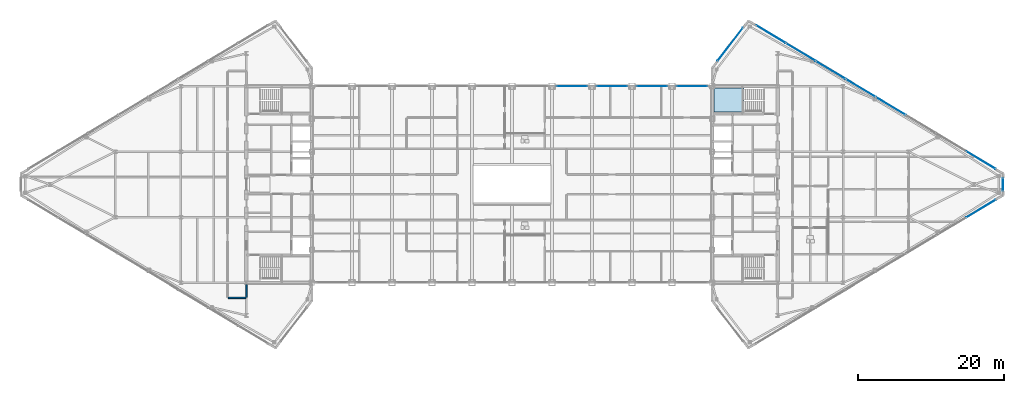
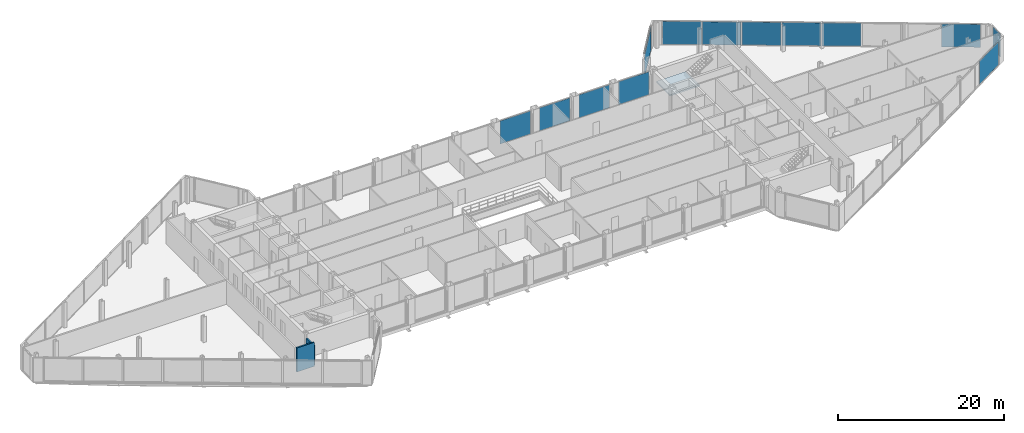
# One storey, part 20 of 29: 13 plates, 2 walls, 1 slab, 9 elements without a shape of their own.
"""IFC4 building model written with IfcOpenShell, lengths in metres."""

from ifc_helpers import new_model, si_unit, direction, frame, frame_2d, origin, origin_2d, place, context, subcontext, project, spatial, polyline, rectangle, outline, extrude, source, transform, mapped, material, layer, layer_set, type_object, type_shapes, element, aggregate, save


model = new_model("IFC4")

# Units and contexts
model_context = context("Model", 3, precision=1e-05, world=origin(), true_north=direction((0.0, 1.0)))
body_context = subcontext(model_context, "Body", "Model", "MODEL_VIEW")
ifc_project = project(units=[si_unit("LENGTHUNIT", "METRE"), si_unit("AREAUNIT", "SQUARE_METRE"), si_unit("VOLUMEUNIT", "CUBIC_METRE"), si_unit("PLANEANGLEUNIT", "RADIAN"), si_unit("MASSUNIT", "GRAM", prefix="KILO")], contexts=[model_context])

# Site, building, storey
site_placement = place(None, origin())
site = spatial("IfcSite", under=ifc_project, at=site_placement, CompositionType="ELEMENT")
building_placement = place(site_placement, origin())
building = spatial("IfcBuilding", under=site, at=building_placement, Name="Seokmaru Belvedere", CompositionType="ELEMENT")
storey_placement = place(building_placement, frame((0.0, 0.0, 258.14990234375)))
storey = spatial("IfcBuildingStorey", under=building, at=storey_placement, Name="L68", CompositionType="ELEMENT", Elevation=258.14990234375)

# Stair, slab
ifc_material_1 = material(Name="Concrete C40 (40 MPa)", Category="concrete")
stair_type = type_object("IfcStairType", Name="Sky-Gate Residential Core Dog-Leg Stair 3750", PredefinedType="TWO_STRAIGHT_RUN_STAIR", material=ifc_material_1)
stair_placement = place(storey_placement, origin())
stair = element("IfcStair", 1, at=stair_placement, inside=storey, type_object=stair_type, Name="L68 Special Escape Stair ST-E2", PredefinedType="TWO_STRAIGHT_RUN_STAIR")
ifc_layer_1 = layer(ifc_material_1, 0.199951171875)
ifc_layer_set_1 = layer_set([ifc_layer_1], Name="Concrete C40 (40 MPa)")
slab_type = type_object("IfcSlabType", Name="Reinforced Concrete Stair Landing Slab 200", PredefinedType="LANDING", material=ifc_layer_set_1)
slab_placement = place(storey_placement, frame((0.0, 0.0, 1.675048828125)))
slab = element("IfcSlab", 2, at=slab_placement, type_object=slab_type, Name="ST-E2 landing 1", PredefinedType="LANDING", context=body_context, shape_type="SweptSolid", body=[
    extrude(outline(polyline([(27.760009765625, 9.949951171875), (31.8798828125, 9.949951171875), (31.8798828125, 13.239990234375), (27.760009765625, 13.239990234375), (27.760009765625, 9.949951171875)])), origin(), (0.0, 0.0, 1.0), 0.199951171875),
])
aggregate(stair, [slab])

# Curtain wall, plate
ifc_material_2 = material(Name="Bronze Triple Insulating Glass", Category="glass")
ifc_layer_2 = layer(ifc_material_2, 0.219970703125)
ifc_layer_set_2 = layer_set([ifc_layer_2], Name="Bronze Triple Insulating Glass")
curtain_wall_type = type_object("IfcCurtainWallType", Name="Sky-Gate Bridge Panorama Curtain Wall System CW-6", PredefinedType="NOTDEFINED", material=ifc_layer_set_2)
curtain_wall_1_placement = place(storey_placement, origin())
curtain_wall_1 = element("IfcCurtainWall", 3, at=curtain_wall_1_placement, inside=storey, type_object=curtain_wall_type, Name="L68 Curtain Wall EF4", PredefinedType="NOTDEFINED")
ifc_layer_3 = layer(ifc_material_2, 0.0419921875)
ifc_layer_set_3 = layer_set([ifc_layer_3], Name="Bronze Triple Insulating Glass")
plate_type = type_object("IfcPlateType", Name="Acoustic Laminated Panorama Glazing Panel 42", PredefinedType="CURTAIN_PANEL", material=ifc_layer_set_3)
shared_shape_1 = source(origin(), body_context, "Body", "SweptSolid", [
    extrude(rectangle(XDim=5.740478515625, YDim=0.0419921875, at=origin_2d()), origin(), (0.0, 0.0, 1.0), 3.3798828125),
])
plate_1_placement = place(storey_placement, frame((30.0, 19.25, 0.0751953125), z_axis=(0.0, 0.0, 1.0), x_axis=(-0.609701187349, -0.792631353244, 0.0)))
plate_1 = element("IfcPlate", 4, at=plate_1_placement, type_object=plate_type, Name="CW:L68:EF4 Glazing Panel 1-1", PredefinedType="CURTAIN_PANEL", context=body_context, shape_type="MappedRepresentation", body=[
    mapped(shared_shape_1, transform((0.0, 0.0, 0.0), scale=1.0)),
])
aggregate(curtain_wall_1, [plate_1])

curtain_wall_2_placement = place(storey_placement, origin())
curtain_wall_2 = element("IfcCurtainWall", 5, at=curtain_wall_2_placement, inside=storey, type_object=curtain_wall_type, Name="L68 Curtain Wall EF1", PredefinedType="NOTDEFINED")
shared_shape_2 = source(origin(), body_context, "Body", "SweptSolid", [
    extrude(rectangle(XDim=4.694580078125, YDim=0.0419921875, at=origin_2d()), origin(), (0.0, 0.0, 1.0), 3.3798828125),
])
plate_2_placement = place(storey_placement, frame((64.4326171875, -3.340576171875, 0.0751953125), z_axis=(0.0, 0.0, 1.0), x_axis=(0.85749343335, 0.514494909364, 0.0)))
plate_2 = element("IfcPlate", 6, at=plate_2_placement, type_object=plate_type, Name="CW:L68:EF1 Glazing Panel 8-1", PredefinedType="CURTAIN_PANEL", context=body_context, shape_type="MappedRepresentation", body=[
    mapped(shared_shape_2, transform((0.0, 0.0, 0.0), scale=1.0)),
])
aggregate(curtain_wall_2, [plate_2])

# Curtain wall, plates
curtain_wall_3_placement = place(storey_placement, origin())
curtain_wall_3 = element("IfcCurtainWall", 7, at=curtain_wall_3_placement, inside=storey, type_object=curtain_wall_type, Name="L68 Curtain Wall EF3", PredefinedType="NOTDEFINED")
plate_3_placement = place(storey_placement, frame((64.4326171875, 3.340576171875, 0.0751953125), z_axis=(0.0, 0.0, 1.0), x_axis=(-0.85749343335, 0.514494909364, 0.0)))
plate_3 = element("IfcPlate", 8, at=plate_3_placement, type_object=plate_type, Name="CW:L68:EF3 Glazing Panel 1-1", PredefinedType="CURTAIN_PANEL", context=body_context, shape_type="MappedRepresentation", body=[
    mapped(shared_shape_2, transform((0.0, 0.0, 0.0), scale=1.0)),
])
plate_4_placement = place(storey_placement, frame((35.5673828125, 20.659423828125, 0.0751953125), z_axis=(0.0, 0.0, 1.0), x_axis=(-0.85749343335, 0.514494909364, 0.0)))
plate_4 = element("IfcPlate", 9, at=plate_4_placement, type_object=plate_type, Name="CW:L68:EF3 Glazing Panel 8-1", PredefinedType="CURTAIN_PANEL", context=body_context, shape_type="MappedRepresentation", body=[
    mapped(shared_shape_2, transform((0.0, 0.0, 0.0), scale=1.0)),
])
shared_shape_3 = source(origin(), body_context, "Body", "SweptSolid", [
    extrude(rectangle(XDim=4.734619140625, YDim=0.0419921875, at=origin_2d()), origin(), (0.0, 0.0, 1.0), 3.3798828125),
])
plate_5_placement = place(storey_placement, frame((52.064208984375, 10.761474609375, 0.0751953125), z_axis=(0.0, 0.0, 1.0), x_axis=(-0.85749343335, 0.514494909364, 0.0)))
plate_5 = element("IfcPlate", 10, at=plate_5_placement, type_object=plate_type, Name="CW:L68:EF3 Glazing Panel 4-1", PredefinedType="CURTAIN_PANEL", context=body_context, shape_type="MappedRepresentation", body=[
    mapped(shared_shape_3, transform((0.0, 0.0, 0.0), scale=1.0)),
])
plate_6_placement = place(storey_placement, frame((47.935791015625, 13.238525390625, 0.0751953125), z_axis=(0.0, 0.0, 1.0), x_axis=(-0.85749343335, 0.514494909364, 0.0)))
plate_6 = element("IfcPlate", 11, at=plate_6_placement, type_object=plate_type, Name="CW:L68:EF3 Glazing Panel 5-1", PredefinedType="CURTAIN_PANEL", context=body_context, shape_type="MappedRepresentation", body=[
    mapped(shared_shape_3, transform((0.0, 0.0, 0.0), scale=1.0)),
])
plate_7_placement = place(storey_placement, frame((43.807373046875, 15.715576171875, 0.0751953125), z_axis=(0.0, 0.0, 1.0), x_axis=(-0.85749343335, 0.514494909364, 0.0)))
plate_7 = element("IfcPlate", 12, at=plate_7_placement, type_object=plate_type, Name="CW:L68:EF3 Glazing Panel 6-1", PredefinedType="CURTAIN_PANEL", context=body_context, shape_type="MappedRepresentation", body=[
    mapped(shared_shape_3, transform((0.0, 0.0, 0.0), scale=1.0)),
])
plate_8_placement = place(storey_placement, frame((39.6787109375, 18.192626953125, 0.0751953125), z_axis=(0.0, 0.0, 1.0), x_axis=(-0.85749343335, 0.514494909364, 0.0)))
plate_8 = element("IfcPlate", 13, at=plate_8_placement, type_object=plate_type, Name="CW:L68:EF3 Glazing Panel 7-1", PredefinedType="CURTAIN_PANEL", context=body_context, shape_type="MappedRepresentation", body=[
    mapped(shared_shape_3, transform((0.0, 0.0, 0.0), scale=1.0)),
])
aggregate(curtain_wall_3, [plate_3, plate_5, plate_6, plate_7, plate_8, plate_4])

# Curtain wall, plate
curtain_wall_4_placement = place(storey_placement, origin())
curtain_wall_4 = element("IfcCurtainWall", 14, at=curtain_wall_4_placement, inside=storey, type_object=curtain_wall_type, Name="L68 Curtain Wall EF2", PredefinedType="NOTDEFINED")
shared_shape_4 = source(origin(), body_context, "Body", "SweptSolid", [
    extrude(rectangle(XDim=1.739990234375, YDim=0.0419921875, at=origin_2d()), origin(), (0.0, 0.0, 1.0), 3.3798828125),
])
plate_9_placement = place(storey_placement, frame((67.5, 0.0, 0.0751953125), z_axis=(0.0, 0.0, 1.0), x_axis=(0.0, 1.0, 0.0)))
plate_9 = element("IfcPlate", 15, at=plate_9_placement, type_object=plate_type, Name="CW:L68:EF2 Glazing Panel 1-1", PredefinedType="CURTAIN_PANEL", context=body_context, shape_type="MappedRepresentation", body=[
    mapped(shared_shape_4, transform((0.0, 0.0, 0.0), scale=1.0)),
])
aggregate(curtain_wall_4, [plate_9])

curtain_wall_5_placement = place(storey_placement, origin())
curtain_wall_5 = element("IfcCurtainWall", 16, at=curtain_wall_5_placement, inside=storey, type_object=curtain_wall_type, Name="L68 Curtain Wall BR_N07", PredefinedType="NOTDEFINED")
shared_shape_5 = source(origin(), body_context, "Body", "SweptSolid", [
    extrude(rectangle(XDim=4.239990234375, YDim=0.0419921875, at=origin_2d()), origin(), (0.0, 0.0, 1.0), 3.3798828125),
])
type_shapes(plate_type, [shared_shape_1, shared_shape_2, shared_shape_3, shared_shape_4, shared_shape_5])
plate_10_placement = place(storey_placement, frame((8.25, 13.5, 0.0751953125), z_axis=(0.0, 0.0, 1.0), x_axis=(-1.0, 0.0, 0.0)))
plate_10 = element("IfcPlate", 17, at=plate_10_placement, type_object=plate_type, Name="CW:L68:BR_N07 Glazing Panel 1-1", PredefinedType="CURTAIN_PANEL", context=body_context, shape_type="MappedRepresentation", body=[
    mapped(shared_shape_5, transform((0.0, 0.0, 0.0), scale=1.0)),
])
aggregate(curtain_wall_5, [plate_10])

curtain_wall_6_placement = place(storey_placement, origin())
curtain_wall_6 = element("IfcCurtainWall", 18, at=curtain_wall_6_placement, inside=storey, type_object=curtain_wall_type, Name="L68 Curtain Wall BR_N08", PredefinedType="NOTDEFINED")
plate_11_placement = place(storey_placement, frame((13.75, 13.5, 0.0751953125), z_axis=(0.0, 0.0, 1.0), x_axis=(-1.0, 0.0, 0.0)))
plate_11 = element("IfcPlate", 19, at=plate_11_placement, type_object=plate_type, Name="CW:L68:BR_N08 Glazing Panel 1-1", PredefinedType="CURTAIN_PANEL", context=body_context, shape_type="MappedRepresentation", body=[
    mapped(shared_shape_5, transform((0.0, 0.0, 0.0), scale=1.0)),
])
aggregate(curtain_wall_6, [plate_11])

curtain_wall_7_placement = place(storey_placement, origin())
curtain_wall_7 = element("IfcCurtainWall", 20, at=curtain_wall_7_placement, inside=storey, type_object=curtain_wall_type, Name="L68 Curtain Wall BR_N09", PredefinedType="NOTDEFINED")
plate_12_placement = place(storey_placement, frame((19.25, 13.5, 0.0751953125), z_axis=(0.0, 0.0, 1.0), x_axis=(-1.0, 0.0, 0.0)))
plate_12 = element("IfcPlate", 21, at=plate_12_placement, type_object=plate_type, Name="CW:L68:BR_N09 Glazing Panel 1-1", PredefinedType="CURTAIN_PANEL", context=body_context, shape_type="MappedRepresentation", body=[
    mapped(shared_shape_5, transform((0.0, 0.0, 0.0), scale=1.0)),
])
aggregate(curtain_wall_7, [plate_12])

curtain_wall_8_placement = place(storey_placement, origin())
curtain_wall_8 = element("IfcCurtainWall", 22, at=curtain_wall_8_placement, inside=storey, type_object=curtain_wall_type, Name="L68 Curtain Wall BR_N10", PredefinedType="NOTDEFINED")
plate_13_placement = place(storey_placement, frame((24.75, 13.5, 0.0751953125), z_axis=(0.0, 0.0, 1.0), x_axis=(-1.0, 0.0, 0.0)))
plate_13 = element("IfcPlate", 23, at=plate_13_placement, type_object=plate_type, Name="CW:L68:BR_N10 Glazing Panel 1-1", PredefinedType="CURTAIN_PANEL", context=body_context, shape_type="MappedRepresentation", body=[
    mapped(shared_shape_5, transform((0.0, 0.0, 0.0), scale=1.0)),
])
aggregate(curtain_wall_8, [plate_13])

# Walls
ifc_material_3 = material(Name="Fire-Rated Gypsum Shaftwall")
ifc_layer_4 = layer(ifc_material_3, 0.199951171875)
ifc_layer_set_4 = layer_set([ifc_layer_4], Name="Fire-Rated Gypsum Shaftwall")
wall_type = type_object("IfcWallType", Name="Inter-Tenancy Fire Compartment Partition 200", PredefinedType="PARTITIONING", material=ifc_layer_set_4)
wall_1_placement = place(storey_placement, frame((-39.014892578125, -15.60009765625, 0.0), z_axis=(0.0, 0.0, 1.0), x_axis=(1.0, 0.0, 0.0)))
element("IfcWall", 24, at=wall_1_placement, inside=storey, type_object=wall_type, Name="L68 Interior Partition 001", PredefinedType="PARTITIONING", context=body_context, shape_type="SweptSolid", body=[
    extrude(rectangle(XDim=2.429931640625, YDim=0.199951171875, at=frame_2d((1.21484375, 0.0))), origin(), (0.0, 0.0, 1.0), 3.530029296875),
])
wall_2_placement = place(storey_placement, frame((-36.5, -15.514892578125, 0.0), z_axis=(0.0, 0.0, 1.0), x_axis=(0.0, 1.0, 0.0)))
element("IfcWall", 25, at=wall_2_placement, inside=storey, type_object=wall_type, Name="L68 Interior Partition 027", PredefinedType="PARTITIONING", context=body_context, shape_type="SweptSolid", body=[
    extrude(rectangle(XDim=1.760009765625, YDim=0.199951171875, at=frame_2d((0.8798828125, 0.0))), origin(), (0.0, 0.0, 1.0), 2.93017578125),
])

save(model, "model.ifc")
